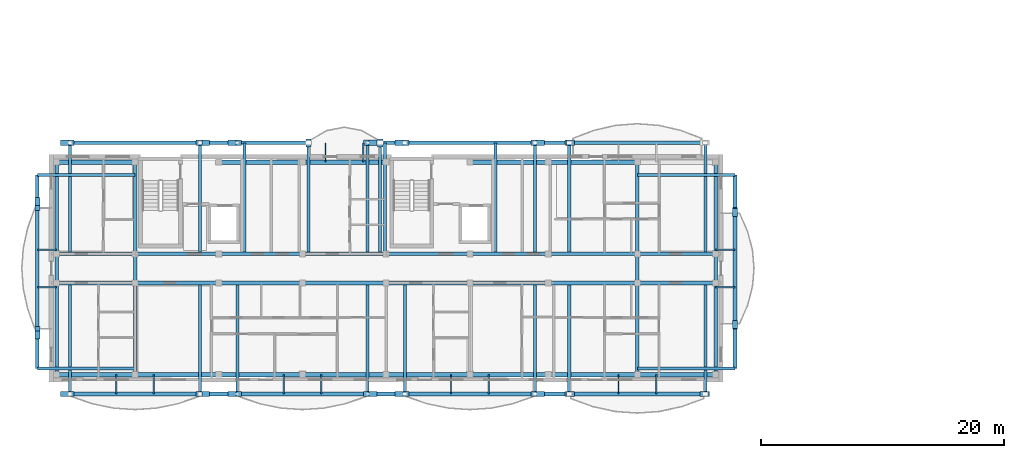
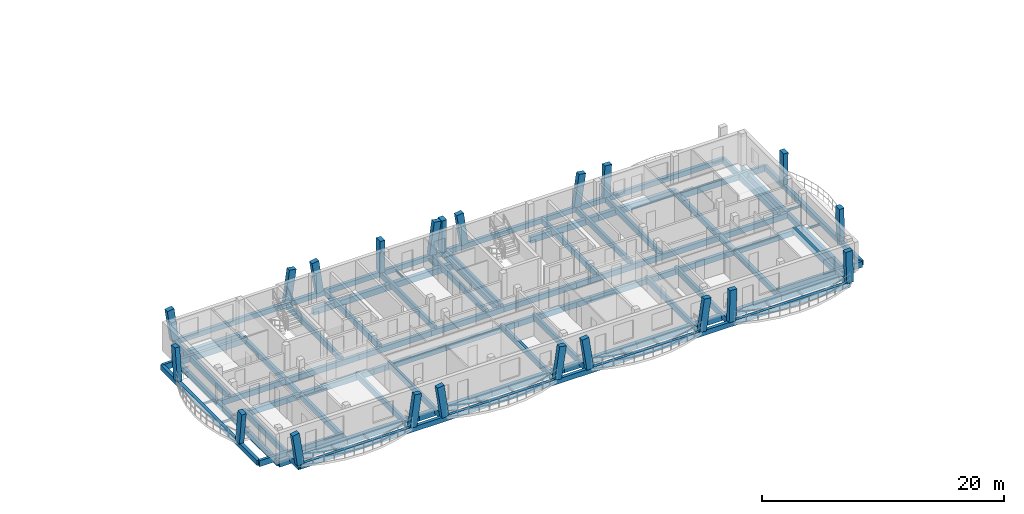
# One storey, part 4 of 52: 82 beams, 21 members.
"""IFC4 building model written with IfcOpenShell, lengths in metres."""

from ifc_helpers import new_model, si_unit, direction, frame, origin, origin_2d, place, context, subcontext, project, spatial, rectangle, i_section, extrude, material, material_profile, profile_set, type_object, element, save


model = new_model("IFC4")

# Units and contexts
model_context = context("Model", 3, precision=1e-05, world=origin(), true_north=direction((0.0, 1.0)))
body_context = subcontext(model_context, "Body", "Model", "MODEL_VIEW")
ifc_project = project(units=[si_unit("LENGTHUNIT", "METRE"), si_unit("AREAUNIT", "SQUARE_METRE"), si_unit("VOLUMEUNIT", "CUBIC_METRE"), si_unit("PLANEANGLEUNIT", "RADIAN"), si_unit("MASSUNIT", "GRAM", prefix="KILO")], contexts=[model_context])

# Site, building, storey
site_placement = place(None, origin())
site = spatial("IfcSite", under=ifc_project, at=site_placement, CompositionType="ELEMENT")
building_placement = place(site_placement, origin())
building = spatial("IfcBuilding", under=site, at=building_placement, Name="Zavelmont Quarter", CompositionType="ELEMENT")
storey_placement = place(building_placement, frame((0.0, 0.0, 14.39990234375)))
storey = spatial("IfcBuildingStorey", under=building, at=storey_placement, Name="L04", CompositionType="ELEMENT", Elevation=14.39990234375)

# Beams
ifc_material_1 = material(Name="Concrete C35/45", Category="concrete")
ifc_material_profile_1 = material_profile(ifc_material_1, rectangle(XDim=0.35009765625, YDim=0.60009765625, at=origin_2d()), Name="RC350X600")
ifc_profile_set_1 = profile_set([ifc_material_profile_1], Name="Concrete C35/45")
beam_type_1 = type_object("IfcBeamType", Name="BM01", PredefinedType="SPANDREL", material=ifc_profile_set_1)
beam_1_placement = place(storey_placement, frame((0.43994140625, 0.43994140625, -0.559814453125), z_axis=(1.0, 0.0, 0.0), x_axis=(0.0, 1.0, 0.0)))
element("IfcBeam", 1, at=beam_1_placement, inside=storey, type_object=beam_type_1, Name="L04 beam BM01 1/A to 2/A", PredefinedType="SPANDREL", context=body_context, shape_type="SweptSolid", body=[
    extrude(rectangle(XDim=0.35009765625, YDim=0.60009765625, at=origin_2d()), origin(), (0.0, 0.0, 1.0), 6.4599609375),
])
beam_2_placement = place(storey_placement, frame((6.89990234375, 0.43994140625, -0.559814453125), z_axis=(1.0, 0.0, 0.0), x_axis=(0.0, 1.0, 0.0)))
element("IfcBeam", 2, at=beam_2_placement, inside=storey, type_object=beam_type_1, Name="L04 beam BM01 2/A to 3/A", PredefinedType="SPANDREL", context=body_context, shape_type="SweptSolid", body=[
    extrude(rectangle(XDim=0.35009765625, YDim=0.60009765625, at=origin_2d()), origin(), (0.0, 0.0, 1.0), 6.900146484375),
])
beam_3_placement = place(storey_placement, frame((13.800048828125, 0.43994140625, -0.559814453125), z_axis=(1.0, 0.0, 0.0), x_axis=(0.0, 1.0, 0.0)))
element("IfcBeam", 3, at=beam_3_placement, inside=storey, type_object=beam_type_1, Name="L04 beam BM01 3/A to 4/A", PredefinedType="SPANDREL", context=body_context, shape_type="SweptSolid", body=[
    extrude(rectangle(XDim=0.35009765625, YDim=0.60009765625, at=origin_2d()), origin(), (0.0, 0.0, 1.0), 6.89990234375),
])
beam_4_placement = place(storey_placement, frame((20.699951171875, 0.43994140625, -0.559814453125), z_axis=(1.0, 0.0, 0.0), x_axis=(0.0, 1.0, 0.0)))
element("IfcBeam", 4, at=beam_4_placement, inside=storey, type_object=beam_type_1, Name="L04 beam BM01 4/A to 5/A", PredefinedType="SPANDREL", context=body_context, shape_type="SweptSolid", body=[
    extrude(rectangle(XDim=0.35009765625, YDim=0.60009765625, at=origin_2d()), origin(), (0.0, 0.0, 1.0), 6.900146484375),
])
beam_5_placement = place(storey_placement, frame((27.60009765625, 0.43994140625, -0.559814453125), z_axis=(1.0, 0.0, 0.0), x_axis=(0.0, 1.0, 0.0)))
element("IfcBeam", 5, at=beam_5_placement, inside=storey, type_object=beam_type_1, Name="L04 beam BM01 5/A to 6/A", PredefinedType="SPANDREL", context=body_context, shape_type="SweptSolid", body=[
    extrude(rectangle(XDim=0.35009765625, YDim=0.60009765625, at=origin_2d()), origin(), (0.0, 0.0, 1.0), 6.89990234375),
])
beam_6_placement = place(storey_placement, frame((34.5, 0.43994140625, -0.559814453125), z_axis=(1.0, 0.0, 0.0), x_axis=(0.0, 1.0, 0.0)))
element("IfcBeam", 6, at=beam_6_placement, inside=storey, type_object=beam_type_1, Name="L04 beam BM01 6/A to 7/A", PredefinedType="SPANDREL", context=body_context, shape_type="SweptSolid", body=[
    extrude(rectangle(XDim=0.35009765625, YDim=0.60009765625, at=origin_2d()), origin(), (0.0, 0.0, 1.0), 6.4599609375),
])
beam_7_placement = place(storey_placement, frame((40.9599609375, 0.43994140625, -0.559814453125), z_axis=(1.0, 0.0, 0.0), x_axis=(0.0, 1.0, 0.0)))
element("IfcBeam", 7, at=beam_7_placement, inside=storey, type_object=beam_type_1, Name="L04 beam BM01 7/A to 8/A", PredefinedType="SPANDREL", context=body_context, shape_type="SweptSolid", body=[
    extrude(rectangle(XDim=0.35009765625, YDim=0.60009765625, at=origin_2d()), origin(), (0.0, 0.0, 1.0), 7.340087890625),
])
for number, where, z_axis, x_axis, name in (
    (8, (48.300048828125, 0.43994140625, -0.559814453125), (1.0, 0.0, 0.0), (0.0, 1.0, 0.0), "L04 beam BM01 8/A to 9/A"),
    (9, (0.43994140625, 17.9599609375, -0.559814453125), (1.0, 0.0, 0.0), (0.0, 1.0, 0.0), "L04 beam BM01 1/D to 2/D"),
):
    element("IfcBeam", number, at=place(storey_placement, frame(where, z_axis=z_axis, x_axis=x_axis)), inside=storey, type_object=beam_type_1, Name=name, PredefinedType="SPANDREL", context=body_context, shape_type="SweptSolid", body=[
        extrude(rectangle(XDim=0.35009765625, YDim=0.60009765625, at=origin_2d()), origin(), (0.0, 0.0, 1.0), 6.4599609375),
    ])
beam_8_placement = place(storey_placement, frame((13.800048828125, 17.9599609375, -0.559814453125), z_axis=(1.0, 0.0, 0.0), x_axis=(0.0, 1.0, 0.0)))
element("IfcBeam", 10, at=beam_8_placement, inside=storey, type_object=beam_type_1, Name="L04 beam BM01 3/D to 4/D", PredefinedType="SPANDREL", context=body_context, shape_type="SweptSolid", body=[
    extrude(rectangle(XDim=0.35009765625, YDim=0.60009765625, at=origin_2d()), origin(), (0.0, 0.0, 1.0), 6.89990234375),
])
beam_9_placement = place(storey_placement, frame((20.699951171875, 17.9599609375, -0.559814453125), z_axis=(1.0, 0.0, 0.0), x_axis=(0.0, 1.0, 0.0)))
element("IfcBeam", 11, at=beam_9_placement, inside=storey, type_object=beam_type_1, Name="L04 beam BM01 4/D to 5/D", PredefinedType="SPANDREL", context=body_context, shape_type="SweptSolid", body=[
    extrude(rectangle(XDim=0.35009765625, YDim=0.60009765625, at=origin_2d()), origin(), (0.0, 0.0, 1.0), 6.900146484375),
])
beam_10_placement = place(storey_placement, frame((34.5, 17.9599609375, -0.559814453125), z_axis=(1.0, 0.0, 0.0), x_axis=(0.0, 1.0, 0.0)))
element("IfcBeam", 12, at=beam_10_placement, inside=storey, type_object=beam_type_1, Name="L04 beam BM01 6/D to 7/D", PredefinedType="SPANDREL", context=body_context, shape_type="SweptSolid", body=[
    extrude(rectangle(XDim=0.35009765625, YDim=0.60009765625, at=origin_2d()), origin(), (0.0, 0.0, 1.0), 6.4599609375),
])
beam_11_placement = place(storey_placement, frame((40.9599609375, 17.9599609375, -0.559814453125), z_axis=(1.0, 0.0, 0.0), x_axis=(0.0, 1.0, 0.0)))
element("IfcBeam", 13, at=beam_11_placement, inside=storey, type_object=beam_type_1, Name="L04 beam BM01 7/D to 8/D", PredefinedType="SPANDREL", context=body_context, shape_type="SweptSolid", body=[
    extrude(rectangle(XDim=0.35009765625, YDim=0.60009765625, at=origin_2d()), origin(), (0.0, 0.0, 1.0), 7.340087890625),
])
ifc_material_profile_2 = material_profile(ifc_material_1, rectangle(XDim=0.300048828125, YDim=0.550048828125, at=origin_2d()), Name="RC300X550")
ifc_profile_set_2 = profile_set([ifc_material_profile_2], Name="Concrete C35/45")
beam_type_2 = type_object("IfcBeamType", Name="BM02", PredefinedType="SPANDREL", material=ifc_profile_set_2)
beam_12_placement = place(storey_placement, frame((0.43994140625, 8.0, -0.534912109375), z_axis=(1.0, 0.0, 0.0), x_axis=(0.0, 1.0, 0.0)))
element("IfcBeam", 14, at=beam_12_placement, inside=storey, type_object=beam_type_2, Name="L04 beam BM02 1/B to 2/B", PredefinedType="SPANDREL", context=body_context, shape_type="SweptSolid", body=[
    extrude(rectangle(XDim=0.300048828125, YDim=0.550048828125, at=origin_2d()), origin(), (0.0, 0.0, 1.0), 6.4599609375),
])
beam_13_placement = place(storey_placement, frame((6.89990234375, 8.0, -0.534912109375), z_axis=(1.0, 0.0, 0.0), x_axis=(0.0, 1.0, 0.0)))
element("IfcBeam", 15, at=beam_13_placement, inside=storey, type_object=beam_type_2, Name="L04 beam BM02 2/B to 3/B", PredefinedType="SPANDREL", context=body_context, shape_type="SweptSolid", body=[
    extrude(rectangle(XDim=0.300048828125, YDim=0.550048828125, at=origin_2d()), origin(), (0.0, 0.0, 1.0), 6.900146484375),
])
beam_14_placement = place(storey_placement, frame((13.800048828125, 8.0, -0.534912109375), z_axis=(1.0, 0.0, 0.0), x_axis=(0.0, 1.0, 0.0)))
element("IfcBeam", 16, at=beam_14_placement, inside=storey, type_object=beam_type_2, Name="L04 beam BM02 3/B to 4/B", PredefinedType="SPANDREL", context=body_context, shape_type="SweptSolid", body=[
    extrude(rectangle(XDim=0.300048828125, YDim=0.550048828125, at=origin_2d()), origin(), (0.0, 0.0, 1.0), 6.89990234375),
])
beam_15_placement = place(storey_placement, frame((20.699951171875, 8.0, -0.534912109375), z_axis=(1.0, 0.0, 0.0), x_axis=(0.0, 1.0, 0.0)))
element("IfcBeam", 17, at=beam_15_placement, inside=storey, type_object=beam_type_2, Name="L04 beam BM02 4/B to 5/B", PredefinedType="SPANDREL", context=body_context, shape_type="SweptSolid", body=[
    extrude(rectangle(XDim=0.300048828125, YDim=0.550048828125, at=origin_2d()), origin(), (0.0, 0.0, 1.0), 6.900146484375),
])
beam_16_placement = place(storey_placement, frame((27.60009765625, 8.0, -0.534912109375), z_axis=(1.0, 0.0, 0.0), x_axis=(0.0, 1.0, 0.0)))
element("IfcBeam", 18, at=beam_16_placement, inside=storey, type_object=beam_type_2, Name="L04 beam BM02 5/B to 6/B", PredefinedType="SPANDREL", context=body_context, shape_type="SweptSolid", body=[
    extrude(rectangle(XDim=0.300048828125, YDim=0.550048828125, at=origin_2d()), origin(), (0.0, 0.0, 1.0), 6.89990234375),
])
beam_17_placement = place(storey_placement, frame((34.5, 8.0, -0.534912109375), z_axis=(1.0, 0.0, 0.0), x_axis=(0.0, 1.0, 0.0)))
element("IfcBeam", 19, at=beam_17_placement, inside=storey, type_object=beam_type_2, Name="L04 beam BM02 6/B to 7/B", PredefinedType="SPANDREL", context=body_context, shape_type="SweptSolid", body=[
    extrude(rectangle(XDim=0.300048828125, YDim=0.550048828125, at=origin_2d()), origin(), (0.0, 0.0, 1.0), 6.4599609375),
])
beam_18_placement = place(storey_placement, frame((40.9599609375, 8.0, -0.534912109375), z_axis=(1.0, 0.0, 0.0), x_axis=(0.0, 1.0, 0.0)))
element("IfcBeam", 20, at=beam_18_placement, inside=storey, type_object=beam_type_2, Name="L04 beam BM02 7/B to 8/B", PredefinedType="SPANDREL", context=body_context, shape_type="SweptSolid", body=[
    extrude(rectangle(XDim=0.300048828125, YDim=0.550048828125, at=origin_2d()), origin(), (0.0, 0.0, 1.0), 7.340087890625),
])
for number, where, z_axis, x_axis, name in (
    (21, (48.300048828125, 8.0, -0.534912109375), (1.0, 0.0, 0.0), (0.0, 1.0, 0.0), "L04 beam BM02 8/B to 9/B"),
    (22, (0.43994140625, 10.39990234375, -0.534912109375), (1.0, 0.0, 0.0), (0.0, 1.0, 0.0), "L04 beam BM02 1/C to 2/C"),
):
    element("IfcBeam", number, at=place(storey_placement, frame(where, z_axis=z_axis, x_axis=x_axis)), inside=storey, type_object=beam_type_2, Name=name, PredefinedType="SPANDREL", context=body_context, shape_type="SweptSolid", body=[
        extrude(rectangle(XDim=0.300048828125, YDim=0.550048828125, at=origin_2d()), origin(), (0.0, 0.0, 1.0), 6.4599609375),
    ])
beam_19_placement = place(storey_placement, frame((6.89990234375, 10.39990234375, -0.534912109375), z_axis=(1.0, 0.0, 0.0), x_axis=(0.0, 1.0, 0.0)))
element("IfcBeam", 23, at=beam_19_placement, inside=storey, type_object=beam_type_2, Name="L04 beam BM02 2/C to 3/C", PredefinedType="SPANDREL", context=body_context, shape_type="SweptSolid", body=[
    extrude(rectangle(XDim=0.300048828125, YDim=0.550048828125, at=origin_2d()), origin(), (0.0, 0.0, 1.0), 6.900146484375),
])
beam_20_placement = place(storey_placement, frame((13.800048828125, 10.39990234375, -0.534912109375), z_axis=(1.0, 0.0, 0.0), x_axis=(0.0, 1.0, 0.0)))
element("IfcBeam", 24, at=beam_20_placement, inside=storey, type_object=beam_type_2, Name="L04 beam BM02 3/C to 4/C", PredefinedType="SPANDREL", context=body_context, shape_type="SweptSolid", body=[
    extrude(rectangle(XDim=0.300048828125, YDim=0.550048828125, at=origin_2d()), origin(), (0.0, 0.0, 1.0), 6.89990234375),
])
beam_21_placement = place(storey_placement, frame((20.699951171875, 10.39990234375, -0.534912109375), z_axis=(1.0, 0.0, 0.0), x_axis=(0.0, 1.0, 0.0)))
element("IfcBeam", 25, at=beam_21_placement, inside=storey, type_object=beam_type_2, Name="L04 beam BM02 4/C to 5/C", PredefinedType="SPANDREL", context=body_context, shape_type="SweptSolid", body=[
    extrude(rectangle(XDim=0.300048828125, YDim=0.550048828125, at=origin_2d()), origin(), (0.0, 0.0, 1.0), 6.900146484375),
])
beam_22_placement = place(storey_placement, frame((27.60009765625, 10.39990234375, -0.534912109375), z_axis=(1.0, 0.0, 0.0), x_axis=(0.0, 1.0, 0.0)))
element("IfcBeam", 26, at=beam_22_placement, inside=storey, type_object=beam_type_2, Name="L04 beam BM02 5/C to 6/C", PredefinedType="SPANDREL", context=body_context, shape_type="SweptSolid", body=[
    extrude(rectangle(XDim=0.300048828125, YDim=0.550048828125, at=origin_2d()), origin(), (0.0, 0.0, 1.0), 6.89990234375),
])
beam_23_placement = place(storey_placement, frame((34.5, 10.39990234375, -0.534912109375), z_axis=(1.0, 0.0, 0.0), x_axis=(0.0, 1.0, 0.0)))
element("IfcBeam", 27, at=beam_23_placement, inside=storey, type_object=beam_type_2, Name="L04 beam BM02 6/C to 7/C", PredefinedType="SPANDREL", context=body_context, shape_type="SweptSolid", body=[
    extrude(rectangle(XDim=0.300048828125, YDim=0.550048828125, at=origin_2d()), origin(), (0.0, 0.0, 1.0), 6.4599609375),
])
beam_24_placement = place(storey_placement, frame((40.9599609375, 10.39990234375, -0.534912109375), z_axis=(1.0, 0.0, 0.0), x_axis=(0.0, 1.0, 0.0)))
element("IfcBeam", 28, at=beam_24_placement, inside=storey, type_object=beam_type_2, Name="L04 beam BM02 7/C to 8/C", PredefinedType="SPANDREL", context=body_context, shape_type="SweptSolid", body=[
    extrude(rectangle(XDim=0.300048828125, YDim=0.550048828125, at=origin_2d()), origin(), (0.0, 0.0, 1.0), 7.340087890625),
])
beam_25_placement = place(storey_placement, frame((48.300048828125, 10.39990234375, -0.534912109375), z_axis=(1.0, 0.0, 0.0), x_axis=(0.0, 1.0, 0.0)))
element("IfcBeam", 29, at=beam_25_placement, inside=storey, type_object=beam_type_2, Name="L04 beam BM02 8/C to 9/C", PredefinedType="SPANDREL", context=body_context, shape_type="SweptSolid", body=[
    extrude(rectangle(XDim=0.300048828125, YDim=0.550048828125, at=origin_2d()), origin(), (0.0, 0.0, 1.0), 6.4599609375),
])
beam_26_placement = place(storey_placement, frame((0.43994140625, 0.43994140625, -0.534912109375), z_axis=(0.0, 1.0, 0.0), x_axis=(-1.0, 0.0, 0.0)))
element("IfcBeam", 30, at=beam_26_placement, inside=storey, type_object=beam_type_2, Name="L04 beam BM02 1/A to 1/B", PredefinedType="SPANDREL", context=body_context, shape_type="SweptSolid", body=[
    extrude(rectangle(XDim=0.300048828125, YDim=0.550048828125, at=origin_2d()), origin(), (0.0, 0.0, 1.0), 7.56005859375),
])
beam_27_placement = place(storey_placement, frame((0.43994140625, 8.0, -0.534912109375), z_axis=(0.0, 1.0, 0.0), x_axis=(-1.0, 0.0, 0.0)))
element("IfcBeam", 31, at=beam_27_placement, inside=storey, type_object=beam_type_2, Name="L04 beam BM02 1/B to 1/C", PredefinedType="SPANDREL", context=body_context, shape_type="SweptSolid", body=[
    extrude(rectangle(XDim=0.300048828125, YDim=0.550048828125, at=origin_2d()), origin(), (0.0, 0.0, 1.0), 2.39990234375),
])
for number, where, z_axis, x_axis, name in (
    (32, (0.43994140625, 10.39990234375, -0.534912109375), (0.0, 1.0, 0.0), (-1.0, 0.0, 0.0), "L04 beam BM02 1/C to 1/D"),
    (33, (6.89990234375, 0.43994140625, -0.534912109375), (0.0, 1.0, 0.0), (-1.0, 0.0, 0.0), "L04 beam BM02 2/A to 2/B"),
):
    element("IfcBeam", number, at=place(storey_placement, frame(where, z_axis=z_axis, x_axis=x_axis)), inside=storey, type_object=beam_type_2, Name=name, PredefinedType="SPANDREL", context=body_context, shape_type="SweptSolid", body=[
        extrude(rectangle(XDim=0.300048828125, YDim=0.550048828125, at=origin_2d()), origin(), (0.0, 0.0, 1.0), 7.56005859375),
    ])
beam_28_placement = place(storey_placement, frame((6.89990234375, 8.0, -0.534912109375), z_axis=(0.0, 1.0, 0.0), x_axis=(-1.0, 0.0, 0.0)))
element("IfcBeam", 34, at=beam_28_placement, inside=storey, type_object=beam_type_2, Name="L04 beam BM02 2/B to 2/C", PredefinedType="SPANDREL", context=body_context, shape_type="SweptSolid", body=[
    extrude(rectangle(XDim=0.300048828125, YDim=0.550048828125, at=origin_2d()), origin(), (0.0, 0.0, 1.0), 2.39990234375),
])
for number, where, z_axis, x_axis, name in (
    (35, (6.89990234375, 10.39990234375, -0.534912109375), (0.0, 1.0, 0.0), (-1.0, 0.0, 0.0), "L04 beam BM02 2/C to 2/D"),
    (36, (48.300048828125, 0.43994140625, -0.534912109375), (0.0, 1.0, 0.0), (-1.0, 0.0, 0.0), "L04 beam BM02 8/A to 8/B"),
):
    element("IfcBeam", number, at=place(storey_placement, frame(where, z_axis=z_axis, x_axis=x_axis)), inside=storey, type_object=beam_type_2, Name=name, PredefinedType="SPANDREL", context=body_context, shape_type="SweptSolid", body=[
        extrude(rectangle(XDim=0.300048828125, YDim=0.550048828125, at=origin_2d()), origin(), (0.0, 0.0, 1.0), 7.56005859375),
    ])
beam_29_placement = place(storey_placement, frame((48.300048828125, 8.0, -0.534912109375), z_axis=(0.0, 1.0, 0.0), x_axis=(-1.0, 0.0, 0.0)))
element("IfcBeam", 37, at=beam_29_placement, inside=storey, type_object=beam_type_2, Name="L04 beam BM02 8/B to 8/C", PredefinedType="SPANDREL", context=body_context, shape_type="SweptSolid", body=[
    extrude(rectangle(XDim=0.300048828125, YDim=0.550048828125, at=origin_2d()), origin(), (0.0, 0.0, 1.0), 2.39990234375),
])
for number, where, z_axis, x_axis, name in (
    (38, (48.300048828125, 10.39990234375, -0.534912109375), (0.0, 1.0, 0.0), (-1.0, 0.0, 0.0), "L04 beam BM02 8/C to 8/D"),
    (39, (54.760009765625, 0.43994140625, -0.534912109375), (0.0, 1.0, 0.0), (-1.0, 0.0, 0.0), "L04 beam BM02 9/A to 9/B"),
):
    element("IfcBeam", number, at=place(storey_placement, frame(where, z_axis=z_axis, x_axis=x_axis)), inside=storey, type_object=beam_type_2, Name=name, PredefinedType="SPANDREL", context=body_context, shape_type="SweptSolid", body=[
        extrude(rectangle(XDim=0.300048828125, YDim=0.550048828125, at=origin_2d()), origin(), (0.0, 0.0, 1.0), 7.56005859375),
    ])
beam_30_placement = place(storey_placement, frame((54.760009765625, 8.0, -0.534912109375), z_axis=(0.0, 1.0, 0.0), x_axis=(-1.0, 0.0, 0.0)))
element("IfcBeam", 40, at=beam_30_placement, inside=storey, type_object=beam_type_2, Name="L04 beam BM02 9/B to 9/C", PredefinedType="SPANDREL", context=body_context, shape_type="SweptSolid", body=[
    extrude(rectangle(XDim=0.300048828125, YDim=0.550048828125, at=origin_2d()), origin(), (0.0, 0.0, 1.0), 2.39990234375),
])
beam_31_placement = place(storey_placement, frame((54.760009765625, 10.39990234375, -0.534912109375), z_axis=(0.0, 1.0, 0.0), x_axis=(-1.0, 0.0, 0.0)))
element("IfcBeam", 41, at=beam_31_placement, inside=storey, type_object=beam_type_2, Name="L04 beam BM02 9/C to 9/D", PredefinedType="SPANDREL", context=body_context, shape_type="SweptSolid", body=[
    extrude(rectangle(XDim=0.300048828125, YDim=0.550048828125, at=origin_2d()), origin(), (0.0, 0.0, 1.0), 7.56005859375),
])
ifc_material_profile_3 = material_profile(ifc_material_1, rectangle(XDim=0.300048828125, YDim=0.5, at=origin_2d()), Name="RC300X500")
ifc_profile_set_3 = profile_set([ifc_material_profile_3], Name="Concrete C35/45")
beam_type_3 = type_object("IfcBeamType", Name="BM03", PredefinedType="BEAM", material=ifc_profile_set_3)
for number, where, z_axis, x_axis, name in (
    (42, (1.534912109375, -1.14990234375, -0.25), (1.0, 0.0, 0.0), (0.0, 1.0, 0.0), "L04 beam BM03 1/A to 9/A"),
    (43, (1.534912109375, 19.550048828125, -0.25), (1.0, 0.0, 0.0), (0.0, 1.0, 0.0), "L04 beam BM03 1/D to 9/D"),
):
    element("IfcBeam", number, at=place(storey_placement, frame(where, z_axis=z_axis, x_axis=x_axis)), inside=storey, type_object=beam_type_3, Name=name, PredefinedType="BEAM", context=body_context, shape_type="SweptSolid", body=[
        extrude(rectangle(XDim=0.300048828125, YDim=0.5, at=origin_2d()), origin(), (0.0, 0.0, 1.0), 52.3740234375),
    ])
for number, where, z_axis, x_axis, name in (
    (44, (-1.14990234375, 0.949951171875, -0.25), (0.0, 1.0, 0.0), (-1.0, 0.0, 0.0), "L04 beam BM03 1/A to 1/D"),
    (45, (56.35009765625, 0.949951171875, -0.25), (0.0, 1.0, 0.0), (-1.0, 0.0, 0.0), "L04 beam BM03 9/A to 9/D"),
):
    element("IfcBeam", number, at=place(storey_placement, frame(where, z_axis=z_axis, x_axis=x_axis)), inside=storey, type_object=beam_type_3, Name=name, PredefinedType="BEAM", context=body_context, shape_type="SweptSolid", body=[
        extrude(rectangle(XDim=0.300048828125, YDim=0.5, at=origin_2d()), origin(), (0.0, 0.0, 1.0), 15.949951171875),
    ])
ifc_material_2 = material(Name="Steel S355", Category="steel")
ifc_material_profile_4 = material_profile(ifc_material_2, i_section(OverallWidth=0.110107421875, OverallDepth=0.219970703125, WebThickness=0.005859375, FlangeThickness=0.00927734375, at=origin_2d()), Name="IPE 220")
ifc_profile_set_4 = profile_set([ifc_material_profile_4], Name="Steel S355")
beam_type_4 = type_object("IfcBeamType", Name="BM15", PredefinedType="JOIST", material=ifc_profile_set_4)
for number, where, z_axis, x_axis, name in (
    (46, (5.35009765625, 0.43994140625, -0.371826171875), (0.0, -1.0, 0.0), (1.0, 0.0, 0.0), "L04 beam BM15 2/A to 2/A"),
    (47, (8.449951171875, 0.43994140625, -0.371826171875), (0.0, -1.0, 0.0), (1.0, 0.0, 0.0), "L04 beam BM15 2/A to 2/A"),
    (48, (19.14990234375, 0.43994140625, -0.371826171875), (0.0, -1.0, 0.0), (1.0, 0.0, 0.0), "L04 beam BM15 4/A to 4/A"),
    (49, (22.25, 0.43994140625, -0.371826171875), (0.0, -1.0, 0.0), (1.0, 0.0, 0.0), "L04 beam BM15 4/A to 4/A"),
    (50, (32.949951171875, 0.43994140625, -0.371826171875), (0.0, -1.0, 0.0), (1.0, 0.0, 0.0), "L04 beam BM15 6/A to 6/A"),
    (51, (36.050048828125, 0.43994140625, -0.371826171875), (0.0, -1.0, 0.0), (1.0, 0.0, 0.0), "L04 beam BM15 6/A to 6/A"),
    (52, (46.75, 0.43994140625, -0.371826171875), (0.0, -1.0, 0.0), (1.0, 0.0, 0.0), "L04 beam BM15 8/A to 8/A"),
    (53, (49.85009765625, 0.43994140625, -0.371826171875), (0.0, -1.0, 0.0), (1.0, 0.0, 0.0), "L04 beam BM15 8/A to 8/A"),
    (54, (0.43994140625, 7.64990234375, -0.371826171875), (-1.0, 0.0, 0.0), (0.0, -1.0, 0.0), "L04 beam BM15 1/B to 1/B"),
    (55, (0.43994140625, 10.75, -0.371826171875), (-1.0, 0.0, 0.0), (0.0, -1.0, 0.0), "L04 beam BM15 1/C to 1/C"),
):
    element("IfcBeam", number, at=place(storey_placement, frame(where, z_axis=z_axis, x_axis=x_axis)), inside=storey, type_object=beam_type_4, Name=name, PredefinedType="JOIST", context=body_context, shape_type="SweptSolid", body=[
        extrude(i_section(OverallWidth=0.110107421875, OverallDepth=0.219970703125, WebThickness=0.005859375, FlangeThickness=0.00927734375, at=origin_2d()), origin(), (0.0, 0.0, 1.0), 1.58984375),
    ])
for number, where, z_axis, x_axis, name in (
    (56, (54.760009765625, 7.64990234375, -0.371826171875), (1.0, 0.0, 0.0), (0.0, 1.0, 0.0), "L04 beam BM15 9/B to 9/B"),
    (57, (54.760009765625, 10.75, -0.371826171875), (1.0, 0.0, 0.0), (0.0, 1.0, 0.0), "L04 beam BM15 9/C to 9/C"),
    (58, (22.60009765625, 17.9599609375, -0.371826171875), (0.0, 1.0, 0.0), (-1.0, 0.0, 0.0), "L04 beam BM15 4/D to 4/D"),
    (59, (25.699951171875, 17.9599609375, -0.371826171875), (0.0, 1.0, 0.0), (-1.0, 0.0, 0.0), "L04 beam BM15 5/D to 5/D"),
):
    element("IfcBeam", number, at=place(storey_placement, frame(where, z_axis=z_axis, x_axis=x_axis)), inside=storey, type_object=beam_type_4, Name=name, PredefinedType="JOIST", context=body_context, shape_type="SweptSolid", body=[
        extrude(i_section(OverallWidth=0.110107421875, OverallDepth=0.219970703125, WebThickness=0.005859375, FlangeThickness=0.00927734375, at=origin_2d()), origin(), (0.0, 0.0, 1.0), 1.590087890625),
    ])
ifc_material_3 = material(Name="Concrete C40/50", Category="concrete")
ifc_material_profile_5 = material_profile(ifc_material_3, rectangle(XDim=0.25, YDim=0.60009765625, at=origin_2d()), Name="RC250X600")
ifc_profile_set_5 = profile_set([ifc_material_profile_5], Name="Concrete C40/50")
beam_type_5 = type_object("IfcBeamType", Name="BM18", PredefinedType="BEAM", material=ifc_profile_set_5)
for number, where, z_axis, x_axis, name in (
    (60, (1.534912109375, 8.0, -0.2998046875), (0.0, -1.0, 0.0), (1.0, 0.0, 0.0), "L04 beam BM18 1/B to 1/A"),
    (61, (12.26513671875, 8.0, -0.2998046875), (0.0, -1.0, 0.0), (1.0, 0.0, 0.0), "L04 beam BM18 3/B to 3/A"),
    (62, (15.334716796875, 8.0, -0.2998046875), (0.0, -1.0, 0.0), (1.0, 0.0, 0.0), "L04 beam BM18 3/B to 3/A"),
    (63, (26.065185546875, 8.0, -0.2998046875), (0.0, -1.0, 0.0), (1.0, 0.0, 0.0), "L04 beam BM18 5/B to 5/A"),
    (64, (29.134765625, 8.0, -0.2998046875), (0.0, -1.0, 0.0), (1.0, 0.0, 0.0), "L04 beam BM18 5/B to 5/A"),
    (65, (39.865234375, 8.0, -0.2998046875), (0.0, -1.0, 0.0), (1.0, 0.0, 0.0), "L04 beam BM18 7/B to 7/A"),
    (66, (42.69091796875, 8.0, -0.2998046875), (0.0, -1.0, 0.0), (1.0, 0.0, 0.0), "L04 beam BM18 7/B to 7/A"),
    (67, (53.908935546875, 8.0, -0.2998046875), (0.0, -1.0, 0.0), (1.0, 0.0, 0.0), "L04 beam BM18 9/B to 9/A"),
):
    element("IfcBeam", number, at=place(storey_placement, frame(where, z_axis=z_axis, x_axis=x_axis)), inside=storey, type_object=beam_type_5, Name=name, PredefinedType="BEAM", context=body_context, shape_type="SweptSolid", body=[
        extrude(rectangle(XDim=0.25, YDim=0.60009765625, at=origin_2d()), origin(), (0.0, 0.0, 1.0), 9.14990234375),
    ])
for number, where, z_axis, x_axis, name in (
    (68, (1.534912109375, 10.39990234375, -0.2998046875), (0.0, 1.0, 0.0), (-1.0, 0.0, 0.0), "L04 beam BM18 1/C to 1/D"),
    (69, (12.26513671875, 10.39990234375, -0.2998046875), (0.0, 1.0, 0.0), (-1.0, 0.0, 0.0), "L04 beam BM18 3/C to 3/D"),
    (70, (15.925048828125, 10.39990234375, -0.2998046875), (0.0, 1.0, 0.0), (-1.0, 0.0, 0.0), "L04 beam BM18 3/C to 3/D"),
    (71, (26.065185546875, 10.39990234375, -0.2998046875), (0.0, 1.0, 0.0), (-1.0, 0.0, 0.0), "L04 beam BM18 5/C to 5/D"),
    (72, (27.5, 10.39990234375, -0.2998046875), (0.0, 1.0, 0.0), (-1.0, 0.0, 0.0), "L04 beam BM18 5/C to 5/D"),
    (73, (36.625, 10.39990234375, -0.2998046875), (0.0, 1.0, 0.0), (-1.0, 0.0, 0.0), "L04 beam BM18 6/C to 6/D"),
    (74, (39.865234375, 10.39990234375, -0.2998046875), (0.0, 1.0, 0.0), (-1.0, 0.0, 0.0), "L04 beam BM18 7/C to 7/D"),
    (75, (42.69091796875, 10.39990234375, -0.2998046875), (0.0, 1.0, 0.0), (-1.0, 0.0, 0.0), "L04 beam BM18 7/C to 7/D"),
    (76, (53.908935546875, 10.39990234375, -0.2998046875), (0.0, 1.0, 0.0), (-1.0, 0.0, 0.0), "L04 beam BM18 9/C to 9/D"),
    (77, (21.199951171875, 10.39990234375, -0.2998046875), (0.0, 1.0, 0.0), (-1.0, 0.0, 0.0), "L04 beam BM18 4/C to 4/D"),
    (78, (27.10009765625, 10.39990234375, -0.2998046875), (0.0, 1.0, 0.0), (-1.0, 0.0, 0.0), "L04 beam BM18 5/C to 5/D"),
):
    element("IfcBeam", number, at=place(storey_placement, frame(where, z_axis=z_axis, x_axis=x_axis)), inside=storey, type_object=beam_type_5, Name=name, PredefinedType="BEAM", context=body_context, shape_type="SweptSolid", body=[
        extrude(rectangle(XDim=0.25, YDim=0.60009765625, at=origin_2d()), origin(), (0.0, 0.0, 1.0), 9.150146484375),
    ])
for number, where, z_axis, x_axis, name in (
    (79, (6.89990234375, 0.949951171875, -0.2998046875), (-1.0, 0.0, 0.0), (0.0, -1.0, 0.0), "L04 beam BM18 2/A to 1/A"),
    (80, (6.89990234375, 16.89990234375, -0.2998046875), (-1.0, 0.0, 0.0), (0.0, -1.0, 0.0), "L04 beam BM18 2/D to 1/D"),
):
    element("IfcBeam", number, at=place(storey_placement, frame(where, z_axis=z_axis, x_axis=x_axis)), inside=storey, type_object=beam_type_5, Name=name, PredefinedType="BEAM", context=body_context, shape_type="SweptSolid", body=[
        extrude(rectangle(XDim=0.25, YDim=0.60009765625, at=origin_2d()), origin(), (0.0, 0.0, 1.0), 8.0498046875),
    ])
for number, where, z_axis, x_axis, name in (
    (81, (48.300048828125, 0.949951171875, -0.2998046875), (1.0, 0.0, 0.0), (0.0, 1.0, 0.0), "L04 beam BM18 8/A to 9/A"),
    (82, (48.300048828125, 16.89990234375, -0.2998046875), (1.0, 0.0, 0.0), (0.0, 1.0, 0.0), "L04 beam BM18 8/D to 9/D"),
):
    element("IfcBeam", number, at=place(storey_placement, frame(where, z_axis=z_axis, x_axis=x_axis)), inside=storey, type_object=beam_type_5, Name=name, PredefinedType="BEAM", context=body_context, shape_type="SweptSolid", body=[
        extrude(rectangle(XDim=0.25, YDim=0.60009765625, at=origin_2d()), origin(), (0.0, 0.0, 1.0), 8.050048828125),
    ])

# Members
ifc_material_4 = material(Name="White architectural precast concrete C40/50", Category="concrete")
ifc_material_profile_6 = material_profile(ifc_material_4, rectangle(XDim=0.43994140625, YDim=0.659912109375, at=origin_2d()), Name="PCR320X480")
ifc_profile_set_6 = profile_set([ifc_material_profile_6], Name="White architectural precast concrete C40/50")
member_type = type_object("IfcMemberType", Name="VR01M", PredefinedType="CHORD", material=ifc_profile_set_6)
for number, where, z_axis, x_axis, name in (
    (83, (1.534912109375, -1.14990234375, 0.0), (-0.142858856488, 0.0, 0.989743071268), (0.0, -1.0, 0.0), "L04 member VR01M 1/A to 1/A"),
    (84, (12.26513671875, -1.14990234375, 0.0), (0.142858856488, 0.0, 0.989743071268), (0.0, 1.0, 0.0), "L04 member VR01M 3/A to 3/A"),
    (85, (15.334716796875, -1.14990234375, 0.0), (-0.142784889488, 0.0, 0.989753744794), (0.0, -1.0, 0.0), "L04 member VR01M 3/A to 3/A"),
    (86, (26.065185546875, -1.14990234375, 0.0), (0.142858856488, 0.0, 0.989743071268), (0.0, 1.0, 0.0), "L04 member VR01M 5/A to 5/A"),
    (87, (29.134765625, -1.14990234375, 0.0), (-0.142784889488, 0.0, 0.989753744794), (0.0, -1.0, 0.0), "L04 member VR01M 5/A to 5/A"),
    (88, (39.865234375, -1.14990234375, 0.0), (0.142784889488, 0.0, 0.989753744794), (0.0, 1.0, 0.0), "L04 member VR01M 7/A to 7/A"),
):
    element("IfcMember", number, at=place(storey_placement, frame(where, z_axis=z_axis, x_axis=x_axis)), inside=storey, type_object=member_type, Name=name, PredefinedType="CHORD", context=body_context, shape_type="SweptSolid", body=[
        extrude(rectangle(XDim=0.43994140625, YDim=0.659912109375, at=origin_2d()), origin(), (0.0, 0.0, 1.0), 3.2333984375),
    ])
for number, where, z_axis, x_axis, name in (
    (89, (42.69091796875, -1.14990234375, 0.0), (0.031872721174, 0.0, 0.999491935758), (0.0, 1.0, 0.0), "L04 member VR01M 7/A to 7/A"),
    (90, (53.908935546875, -1.14990234375, 0.0), (-0.031872721174, 0.0, 0.999491935758), (0.0, -1.0, 0.0), "L04 member VR01M 9/A to 9/A"),
):
    element("IfcMember", number, at=place(storey_placement, frame(where, z_axis=z_axis, x_axis=x_axis)), inside=storey, type_object=member_type, Name=name, PredefinedType="CHORD", context=body_context, shape_type="SweptSolid", body=[
        extrude(rectangle(XDim=0.43994140625, YDim=0.659912109375, at=origin_2d()), origin(), (0.0, 0.0, 1.0), 3.201904296875),
    ])
for number, where, z_axis, x_axis, name in (
    (91, (1.534912109375, 19.550048828125, 0.0), (-0.142858856488, 0.0, 0.989743071268), (0.0, -1.0, 0.0), "L04 member VR01M 1/D to 1/D"),
    (92, (12.26513671875, 19.550048828125, 0.0), (0.142858856488, 0.0, 0.989743071268), (0.0, 1.0, 0.0), "L04 member VR01M 3/D to 3/D"),
    (93, (15.334716796875, 19.550048828125, 0.0), (-0.142784889488, 0.0, 0.989753744794), (0.0, -1.0, 0.0), "L04 member VR01M 3/D to 3/D"),
    (94, (26.065185546875, 19.550048828125, 0.0), (0.142858856488, 0.0, 0.989743071268), (0.0, 1.0, 0.0), "L04 member VR01M 5/D to 5/D"),
    (95, (29.134765625, 19.550048828125, 0.0), (-0.142784889488, 0.0, 0.989753744794), (0.0, -1.0, 0.0), "L04 member VR01M 5/D to 5/D"),
    (96, (39.865234375, 19.550048828125, 0.0), (0.142784889488, 0.0, 0.989753744794), (0.0, 1.0, 0.0), "L04 member VR01M 7/D to 7/D"),
):
    element("IfcMember", number, at=place(storey_placement, frame(where, z_axis=z_axis, x_axis=x_axis)), inside=storey, type_object=member_type, Name=name, PredefinedType="CHORD", context=body_context, shape_type="SweptSolid", body=[
        extrude(rectangle(XDim=0.43994140625, YDim=0.659912109375, at=origin_2d()), origin(), (0.0, 0.0, 1.0), 3.2333984375),
    ])
member_placement = place(storey_placement, frame((42.69091796875, 19.550048828125, 0.0), z_axis=(0.031872721174, 0.0, 0.999491935758), x_axis=(0.0, 1.0, 0.0)))
element("IfcMember", 97, at=member_placement, inside=storey, type_object=member_type, Name="L04 member VR01M 7/D to 7/D", PredefinedType="CHORD", context=body_context, shape_type="SweptSolid", body=[
    extrude(rectangle(XDim=0.43994140625, YDim=0.659912109375, at=origin_2d()), origin(), (0.0, 0.0, 1.0), 3.201904296875),
])
for number, where, z_axis, x_axis, name in (
    (98, (21.199951171875, 19.550048828125, 0.0), (0.0, 0.0, 1.0), (1.0, 0.0, 0.0), "L04 member VR01M 4/D to 4/D"),
    (99, (27.10009765625, 19.550048828125, 0.0), (0.0, 0.0, 1.0), (1.0, 0.0, 0.0), "L04 member VR01M 5/D to 5/D"),
):
    element("IfcMember", number, at=place(storey_placement, frame(where, z_axis=z_axis, x_axis=x_axis)), inside=storey, type_object=member_type, Name=name, PredefinedType="CHORD", context=body_context, shape_type="SweptSolid", body=[
        extrude(rectangle(XDim=0.43994140625, YDim=0.659912109375, at=origin_2d()), origin(), (0.0, 0.0, 1.0), 3.2001953125),
    ])
for number, where, z_axis, x_axis, name in (
    (100, (-1.14990234375, 4.1025390625, 0.0), (0.0, -0.126977238998, 0.991905630983), (1.0, 0.0, 0.0), "L04 member VR01M 1/B to 1/A"),
    (101, (-1.14990234375, 14.29736328125, 0.0), (0.0, 0.126977238998, 0.991905630983), (-1.0, 0.0, 0.0), "L04 member VR01M 1/C to 1/D"),
):
    element("IfcMember", number, at=place(storey_placement, frame(where, z_axis=z_axis, x_axis=x_axis)), inside=storey, type_object=member_type, Name=name, PredefinedType="CHORD", context=body_context, shape_type="SweptSolid", body=[
        extrude(rectangle(XDim=0.43994140625, YDim=0.659912109375, at=origin_2d()), origin(), (0.0, 0.0, 1.0), 3.226318359375),
    ])
for number, where, z_axis, x_axis, name in (
    (102, (56.35009765625, 4.518798828125, 0.0), (0.0, 0.022042247833, 0.99975704014), (-1.0, 0.0, 0.0), "L04 member VR01M 9/B to 9/B"),
    (103, (56.35009765625, 13.881103515625, 0.0), (0.0, -0.022042247833, 0.99975704014), (1.0, 0.0, 0.0), "L04 member VR01M 9/C to 9/C"),
):
    element("IfcMember", number, at=place(storey_placement, frame(where, z_axis=z_axis, x_axis=x_axis)), inside=storey, type_object=member_type, Name=name, PredefinedType="CHORD", context=body_context, shape_type="SweptSolid", body=[
        extrude(rectangle(XDim=0.43994140625, YDim=0.659912109375, at=origin_2d()), origin(), (0.0, 0.0, 1.0), 3.200927734375),
    ])

save(model, "model.ifc")
